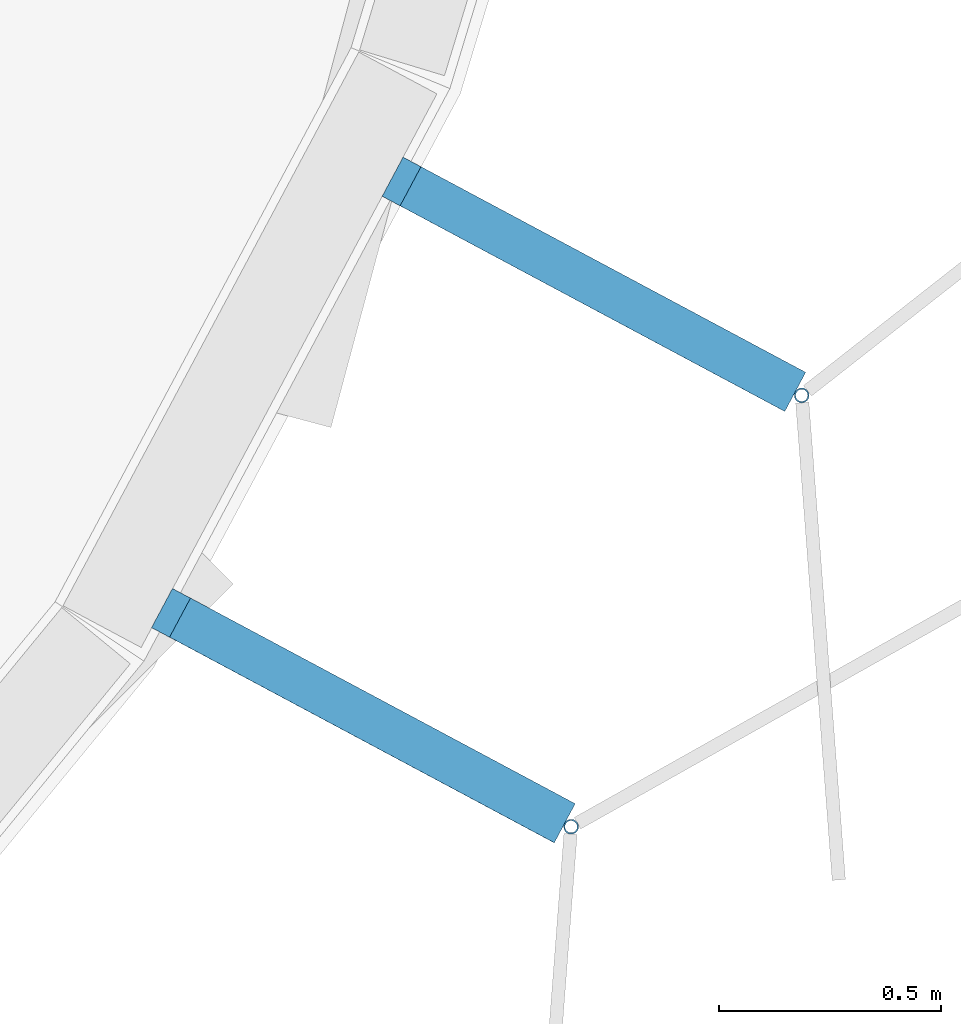
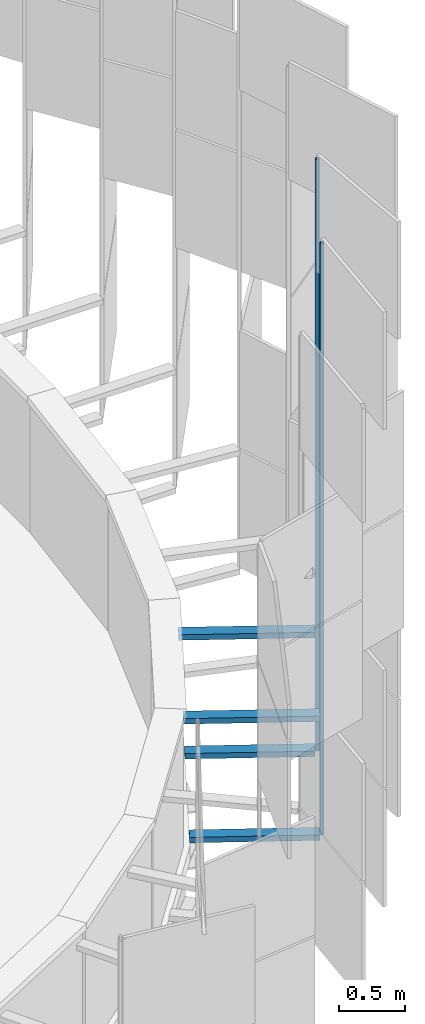
# One storey, part 174 of 483: 6 discrete accessories.
"""IFC4 building model written with IfcOpenShell, lengths in metres."""

from ifc_helpers import new_model, si_unit, direction, frame, origin, origin_2d, place, context, subcontext, project, spatial, rectangle, hollow_circle, extrude, material, material_profile, profile_set, type_object, element, save


model = new_model("IFC4")

# Units and contexts
model_context = context("Model", 3, precision=1e-05, world=origin(), true_north=direction((0.0, 1.0)))
body_context = subcontext(model_context, "Body", "Model", "MODEL_VIEW")
ifc_project = project(units=[si_unit("LENGTHUNIT", "METRE"), si_unit("AREAUNIT", "SQUARE_METRE"), si_unit("VOLUMEUNIT", "CUBIC_METRE"), si_unit("PLANEANGLEUNIT", "RADIAN"), si_unit("MASSUNIT", "GRAM", prefix="KILO")], contexts=[model_context])

# Site, building, storey
site_placement = place(None, origin())
site = spatial("IfcSite", under=ifc_project, at=site_placement, CompositionType="ELEMENT")
building_placement = place(site_placement, origin())
building = spatial("IfcBuilding", under=site, at=building_placement, Name="Parallax Yard Mobility Hub", CompositionType="ELEMENT")
storey_placement = place(building_placement, frame((0.0, 0.0, 13.199951171875)))
storey = spatial("IfcBuildingStorey", under=building, at=storey_placement, Name="L04", CompositionType="ELEMENT", Elevation=13.199951171875)

# Discrete accessories
ifc_material_1 = material(Name="Steel ASTM A36, hot-dip galvanised", Category="steel")
discrete_accessory_type_1 = type_object("IfcDiscreteAccessoryType", Name="Hinge bracket plate 100x50", PredefinedType="BRACKET", material=ifc_material_1)
discrete_accessory_1_placement = place(storey_placement, frame((224.230712890625, 25.7158203125, -0.02490234375), z_axis=(0.0, 0.0, 1.0), x_axis=(0.881921264348, -0.471396736826, 0.0)))
element("IfcDiscreteAccessory", 1, at=discrete_accessory_1_placement, inside=storey, type_object=discrete_accessory_type_1, Name="Hinge bracket plate bay 32.8 level L04", PredefinedType="BRACKET", context=body_context, shape_type="SweptSolid", body=[
    extrude(rectangle(XDim=0.984130859375, YDim=0.10009765625, at=origin_2d()), origin(), (0.0, 0.0, 1.0), 0.050048828125),
])
discrete_accessory_2_placement = place(storey_placement, frame((224.210205078125, 25.7265625, 1.06982421875), z_axis=(0.0, 0.0, 1.0), x_axis=(0.881921264348, -0.471396736826, 0.0)))
element("IfcDiscreteAccessory", 2, at=discrete_accessory_2_placement, inside=storey, type_object=discrete_accessory_type_1, Name="Hinge bracket plate bay 32.8 level L04", PredefinedType="BRACKET", context=body_context, shape_type="SweptSolid", body=[
    extrude(rectangle(XDim=1.030029296875, YDim=0.10009765625, at=origin_2d()), origin(), (0.0, 0.0, 1.0), 0.050048828125),
])
discrete_accessory_3_placement = place(storey_placement, frame((224.750732421875, 26.68896484375, -0.02490234375), z_axis=(0.0, 0.0, 1.0), x_axis=(0.881921264348, -0.471396736826, 0.0)))
element("IfcDiscreteAccessory", 3, at=discrete_accessory_3_placement, inside=storey, type_object=discrete_accessory_type_1, Name="Hinge bracket plate bay 32.9 level L04", PredefinedType="BRACKET", context=body_context, shape_type="SweptSolid", body=[
    extrude(rectangle(XDim=0.984130859375, YDim=0.10009765625, at=origin_2d()), origin(), (0.0, 0.0, 1.0), 0.050048828125),
])
discrete_accessory_4_placement = place(storey_placement, frame((224.73046875, 26.69970703125, 1.06982421875), z_axis=(0.0, 0.0, 1.0), x_axis=(0.881921264348, -0.471396736826, 0.0)))
element("IfcDiscreteAccessory", 4, at=discrete_accessory_4_placement, inside=storey, type_object=discrete_accessory_type_1, Name="Hinge bracket plate bay 32.9 level L04", PredefinedType="BRACKET", context=body_context, shape_type="SweptSolid", body=[
    extrude(rectangle(XDim=1.030029296875, YDim=0.10009765625, at=origin_2d()), origin(), (0.0, 0.0, 1.0), 0.050048828125),
])
ifc_material_2 = material(Name="Steel ASTM A500 Gr C, hot-dip galvanised", Category="steel")
ifc_material_profile = material_profile(ifc_material_2, hollow_circle(Radius=0.016845703125, WallThickness=0.003173828125, at=origin_2d()), Name="CHS 33.7x3.2")
ifc_profile_set = profile_set([ifc_material_profile], Name="Steel ASTM A500 Gr C, hot-dip galvanised")
discrete_accessory_type_2 = type_object("IfcDiscreteAccessoryType", Name="Hinge post CHS 33.7x3.2", PredefinedType="BRACKET", material=ifc_profile_set)
for number, where, z_axis, x_axis, name in (
    (5, (224.678955078125, 25.47607421875, 0.0), (0.0, 0.0, 1.0), (1.0, 0.0, 0.0), "Hinge post bay 32.8 level L04"),
    (6, (225.19921875, 26.44921875, 0.0), (0.0, 0.0, 1.0), (1.0, 0.0, 0.0), "Hinge post bay 32.9 level L04"),
):
    element("IfcDiscreteAccessory", number, at=place(storey_placement, frame(where, z_axis=z_axis, x_axis=x_axis)), inside=storey, type_object=discrete_accessory_type_2, Name=name, PredefinedType="BRACKET", context=body_context, shape_type="SweptSolid", body=[
        extrude(hollow_circle(Radius=0.016845703125, WallThickness=0.003173828125, at=origin_2d()), origin(), (0.0, 0.0, 1.0), 5.449951171875),
    ])

save(model, "model.ifc")
